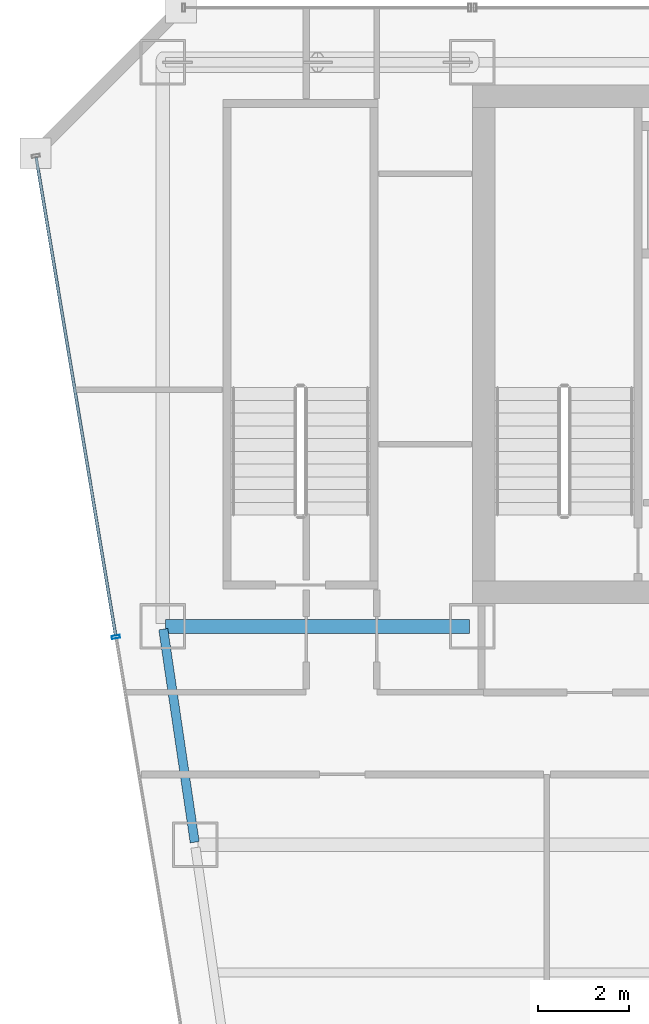
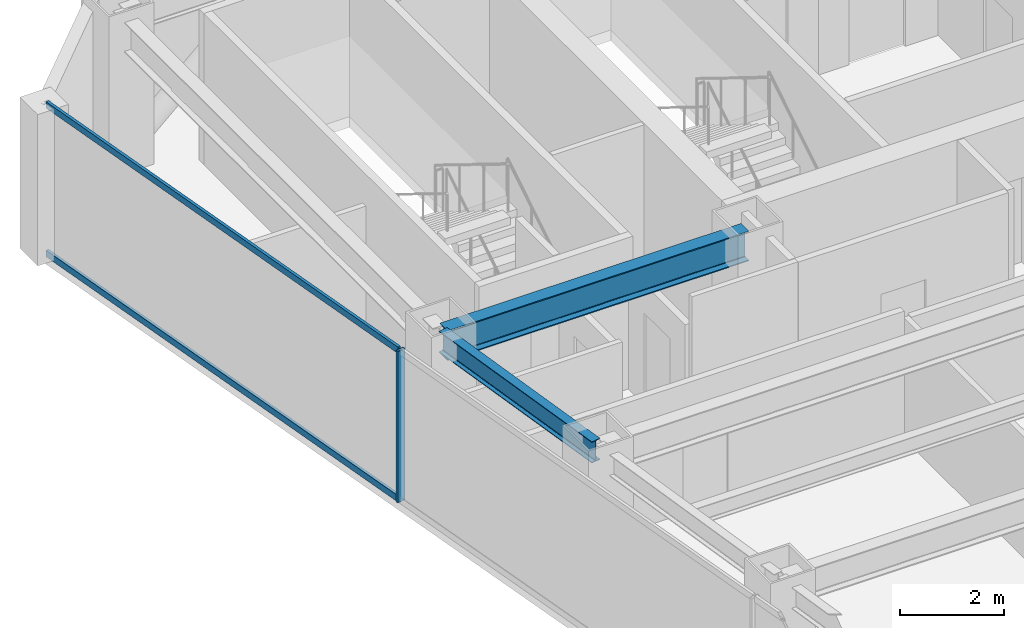
# One storey, part 19 of 37: 3 members, 2 beams, 1 element without a shape of its own.
"""IFC4 building model written with IfcOpenShell, lengths in metres."""

from ifc_helpers import new_model, si_unit, direction, frame, origin, origin_2d, place, context, subcontext, project, spatial, hollow_rectangle, i_section, extrude, material, material_profile, profile_set, type_object, element, aggregate, save


model = new_model("IFC4")

# Units and contexts
model_context = context("Model", 3, precision=1e-05, world=origin(), true_north=direction((0.0, 1.0)))
body_context = subcontext(model_context, "Body", "Model", "MODEL_VIEW")
ifc_project = project(units=[si_unit("LENGTHUNIT", "METRE"), si_unit("AREAUNIT", "SQUARE_METRE"), si_unit("VOLUMEUNIT", "CUBIC_METRE"), si_unit("PLANEANGLEUNIT", "RADIAN"), si_unit("MASSUNIT", "GRAM", prefix="KILO")], contexts=[model_context])

# Site, building, storey
site_placement = place(None, origin())
site = spatial("IfcSite", under=ifc_project, at=site_placement, CompositionType="ELEMENT")
building_placement = place(site_placement, origin())
building = spatial("IfcBuilding", under=site, at=building_placement, Name="Saevonmaru Cultural Tower", CompositionType="ELEMENT")
storey_placement = place(building_placement, frame((0.0, 0.0, 141.0)))
storey = spatial("IfcBuildingStorey", under=building, at=storey_placement, Name="L30", CompositionType="ELEMENT", Elevation=141.0)

# Beams
ifc_material_1 = material(Name="Steel SM355", Category="steel")
ifc_material_profile_1 = material_profile(ifc_material_1, i_section(OverallWidth=0.300048828125, OverallDepth=0.699951171875, WebThickness=0.012939453125, FlangeThickness=0.02392578125, FilletRadius=0.02587890625, at=origin_2d()), Name="H-700x300x13x24")
ifc_profile_set_1 = profile_set([ifc_material_profile_1], Name="Steel SM355")
beam_type_1 = type_object("IfcBeamType", Name="BM-G-H700", PredefinedType="BEAM", material=ifc_profile_set_1)
beam_1_placement = place(storey_placement, frame((6.860107421875, 42.39990234375, 3.199951171875), z_axis=(1.0, 0.0, 0.0), x_axis=(0.0, 1.0, 0.0)))
element("IfcBeam", 1, at=beam_1_placement, inside=storey, type_object=beam_type_1, Name="L30 Core South Girder 1", PredefinedType="BEAM", context=body_context, shape_type="SweptSolid", body=[
    extrude(i_section(OverallWidth=0.300048828125, OverallDepth=0.699951171875, WebThickness=0.012939453125, FlangeThickness=0.02392578125, FilletRadius=0.02587890625, at=origin_2d()), origin(), (0.0, 0.0, 1.0), 6.679931640625),
])
ifc_material_profile_2 = material_profile(ifc_material_1, i_section(OverallWidth=0.199951171875, OverallDepth=0.5, WebThickness=0.010009765625, FlangeThickness=0.01611328125, FilletRadius=0.02001953125, at=origin_2d()), Name="H-500x200x10x16")
ifc_profile_set_2 = profile_set([ifc_material_profile_2], Name="Steel SM355")
beam_type_2 = type_object("IfcBeamType", Name="BM-SP-H500", PredefinedType="SPANDREL", material=ifc_profile_set_2)
beam_2_placement = place(storey_placement, frame((7.499267578125, 37.659423828125, 3.300048828125), z_axis=(-0.145912860028, 0.989297446312, 0.0), x_axis=(-0.989297446312, -0.145912860028, 0.0)))
element("IfcBeam", 2, at=beam_2_placement, inside=storey, type_object=beam_type_2, Name="L30 West Splayed Spandrel 5", PredefinedType="SPANDREL", context=body_context, shape_type="SweptSolid", body=[
    extrude(i_section(OverallWidth=0.199951171875, OverallDepth=0.5, WebThickness=0.010009765625, FlangeThickness=0.01611328125, FilletRadius=0.02001953125, at=origin_2d()), origin(), (0.0, 0.0, 1.0), 4.731689453125),
])

# Curtain wall, members
ifc_material_2 = material(Name="Satin Bronze Anodised Aluminium", Category="aluminium")
curtain_wall_type = type_object("IfcCurtainWallType", Name="CW-TYP-A", PredefinedType="NOTDEFINED", material=ifc_material_2)
curtain_wall_placement = place(storey_placement, origin())
curtain_wall = element("IfcCurtainWall", 3, at=curtain_wall_placement, inside=storey, type_object=curtain_wall_type, Name="L30 Unitised Curtain Wall E12", PredefinedType="NOTDEFINED")
ifc_material_profile_3 = material_profile(ifc_material_2, hollow_rectangle(XDim=0.06494140625, YDim=0.179931640625, WallThickness=0.00390625, at=origin_2d()), Name="ALU-MULL-180x65x4")
ifc_profile_set_3 = profile_set([ifc_material_profile_3], Name="Satin Bronze Anodised Aluminium")
member_type_1 = type_object("IfcMemberType", Name="ML-CW-180x65", PredefinedType="MULLION", material=ifc_profile_set_3)
member_1_placement = place(storey_placement, frame((5.76708984375, 42.17041015625, 0.0), z_axis=(0.0, 0.0, 1.0), x_axis=(0.163998702345, -0.986460554523, 0.0)))
member_1 = element("IfcMember", 4, at=member_1_placement, type_object=member_type_1, Name="CW-TW-L30-E12 mullion 2", PredefinedType="MULLION", context=body_context, shape_type="SweptSolid", body=[
    extrude(hollow_rectangle(XDim=0.06494140625, YDim=0.179931640625, WallThickness=0.00390625, at=origin_2d()), origin(), (0.0, 0.0, 1.0), 3.550048828125),
])
ifc_material_profile_4 = material_profile(ifc_material_2, hollow_rectangle(XDim=0.06494140625, YDim=0.14990234375, WallThickness=0.00390625, at=origin_2d()), Name="ALU-TRAN-150x65x4")
ifc_profile_set_4 = profile_set([ifc_material_profile_4], Name="Satin Bronze Anodised Aluminium")
member_type_2 = type_object("IfcMemberType", Name="TR-CW-150x65", PredefinedType="USERDEFINED", material=ifc_profile_set_4)
member_2_placement = place(storey_placement, frame((4.01513671875, 52.708740234375, 0.032470703125), z_axis=(0.163990079074, -0.9864619881, 0.0), x_axis=(0.9864619881, 0.163990079074, 0.0)))
member_2 = element("IfcMember", 5, at=member_2_placement, type_object=member_type_2, Name="CW-TW-L30-E12 transom 1.1", ObjectType="TRANSOM", PredefinedType="USERDEFINED", context=body_context, shape_type="SweptSolid", body=[
    extrude(hollow_rectangle(XDim=0.06494140625, YDim=0.14990234375, WallThickness=0.00390625, at=origin_2d()), origin(), (0.0, 0.0, 1.0), 10.650634765625),
])
member_3_placement = place(storey_placement, frame((4.01513671875, 52.708740234375, 3.517578125), z_axis=(0.163990079074, -0.9864619881, 0.0), x_axis=(0.9864619881, 0.163990079074, 0.0)))
member_3 = element("IfcMember", 6, at=member_3_placement, type_object=member_type_2, Name="CW-TW-L30-E12 transom 1.2", ObjectType="TRANSOM", PredefinedType="USERDEFINED", context=body_context, shape_type="SweptSolid", body=[
    extrude(hollow_rectangle(XDim=0.06494140625, YDim=0.14990234375, WallThickness=0.00390625, at=origin_2d()), origin(), (0.0, 0.0, 1.0), 10.650634765625),
])
aggregate(curtain_wall, [member_1, member_2, member_3])

save(model, "model.ifc")
